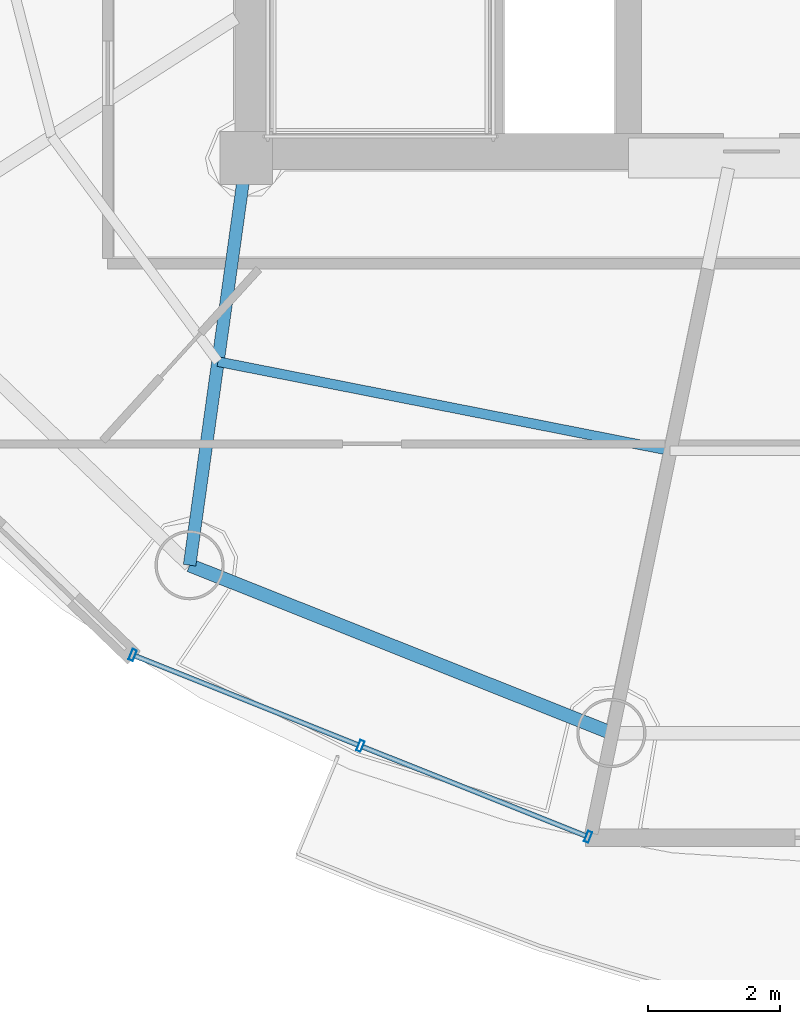
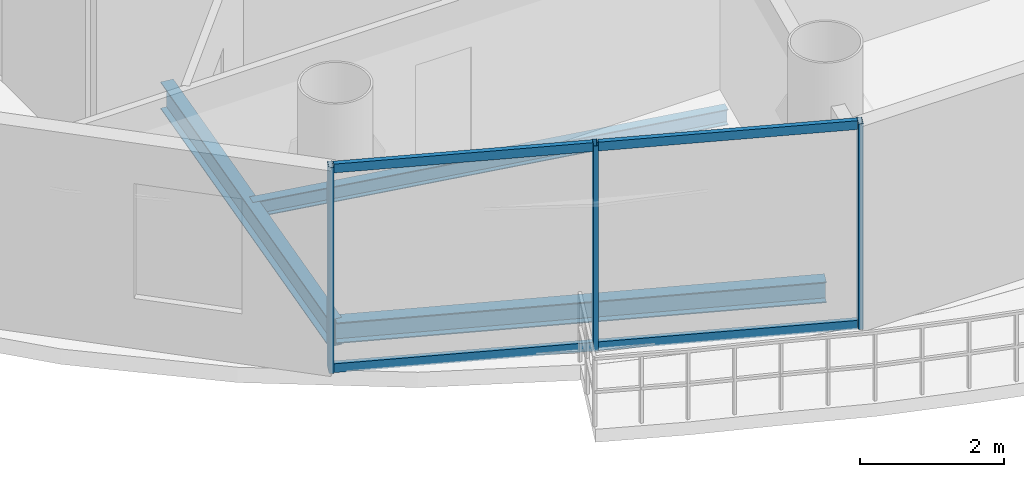
# One storey, part 2 of 21: 7 members, 3 beams, 1 element without a shape of its own.
"""IFC4 building model written with IfcOpenShell, lengths in metres."""

from ifc_helpers import new_model, si_unit, direction, frame, origin, origin_2d, place, context, subcontext, project, spatial, hollow_rectangle, i_section, extrude, source, transform, mapped, material, material_profile, profile_set, type_object, element, aggregate, save


model = new_model("IFC4")

# Units and contexts
model_context = context("Model", 3, precision=1e-05, world=origin(), true_north=direction((-0.2419218956, 0.970295726276)))
body_context = subcontext(model_context, "Body", "Model", "MODEL_VIEW")
ifc_project = project(units=[si_unit("LENGTHUNIT", "METRE"), si_unit("AREAUNIT", "SQUARE_METRE"), si_unit("VOLUMEUNIT", "CUBIC_METRE"), si_unit("PLANEANGLEUNIT", "RADIAN"), si_unit("MASSUNIT", "GRAM", prefix="KILO")], contexts=[model_context])

# Site, building, storey
site_placement = place(None, origin())
site = spatial("IfcSite", under=ifc_project, at=site_placement, CompositionType="ELEMENT")
building_placement = place(site_placement, origin())
building = spatial("IfcBuilding", under=site, at=building_placement, Name="Cobrevalo Terracotta Tower", CompositionType="ELEMENT")
storey_placement = place(building_placement, frame((0.0, 0.0, 281.949951171875)))
storey = spatial("IfcBuildingStorey", under=building, at=storey_placement, Name="L74", CompositionType="ELEMENT", Elevation=281.949951171875)

# Beams
ifc_material_1 = material(Name="Steel S355", Category="steel")
ifc_material_profile_1 = material_profile(ifc_material_1, i_section(OverallWidth=0.19091796875, OverallDepth=0.4599609375, WebThickness=0.010009765625, FlangeThickness=0.01611328125, at=origin_2d()), Name="W 460x82")
ifc_profile_set_1 = profile_set([ifc_material_profile_1], Name="Steel S355")
beam_type_1 = type_object("IfcBeamType", Name="Structural Beam W 460x82 (Steel S355)", PredefinedType="BEAM", material=ifc_profile_set_1)
beam_1_placement = place(storey_placement, frame((28.138671875, 12.62353515625, -0.489990234375), z_axis=(0.138115657759, 0.990416107039, 0.0), x_axis=(-0.990416107039, 0.138115657759, 0.0)))
element("IfcBeam", 1, at=beam_1_placement, inside=storey, type_object=beam_type_1, Name="L74 radial floor girder 11", PredefinedType="BEAM", context=body_context, shape_type="SweptSolid", body=[
    extrude(i_section(OverallWidth=0.19091796875, OverallDepth=0.4599609375, WebThickness=0.010009765625, FlangeThickness=0.01611328125, at=origin_2d()), origin(), (0.0, 0.0, 1.0), 6.236328125),
])
ifc_material_profile_2 = material_profile(ifc_material_1, i_section(OverallWidth=0.14794921875, OverallDepth=0.26611328125, WebThickness=0.007568359375, FlangeThickness=0.012939453125, at=origin_2d()), Name="W 250x44.8")
ifc_profile_set_2 = profile_set([ifc_material_profile_2], Name="Steel S355")
beam_type_2 = type_object("IfcBeamType", Name="Structural Joist W 250x44.8 (Steel S355)", PredefinedType="JOIST", material=ifc_profile_set_2)
beam_2_placement = place(storey_placement, frame((28.5693359375, 15.711669921875, -0.39306640625), z_axis=(0.981145060421, -0.193272787563, 0.0), x_axis=(0.193272787563, 0.981145060421, 0.0)))
element("IfcBeam", 2, at=beam_2_placement, inside=storey, type_object=beam_type_2, Name="L74 circumferential secondary floor joist 11", PredefinedType="JOIST", context=body_context, shape_type="SweptSolid", body=[
    extrude(i_section(OverallWidth=0.14794921875, OverallDepth=0.26611328125, WebThickness=0.007568359375, FlangeThickness=0.012939453125, at=origin_2d()), origin(), (0.0, 0.0, 1.0), 6.98681640625),
])
ifc_material_profile_3 = material_profile(ifc_material_1, i_section(OverallWidth=0.205078125, OverallDepth=0.35400390625, WebThickness=0.009521484375, FlangeThickness=0.016845703125, at=origin_2d()), Name="W 360x79")
ifc_profile_set_3 = profile_set([ifc_material_profile_3], Name="Steel S355")
beam_type_3 = type_object("IfcBeamType", Name="Structural Spandrel W 360x79 (Steel S355)", PredefinedType="SPANDREL", material=ifc_profile_set_3)
beam_3_placement = place(storey_placement, frame((28.138671875, 12.62353515625, -0.43701171875), z_axis=(0.929149986048, -0.369702993533, 0.0), x_axis=(0.369702993533, 0.929149986048, 0.0)))
element("IfcBeam", 3, at=beam_3_placement, inside=storey, type_object=beam_type_3, Name="L74 perimeter ring spandrel 11", PredefinedType="SPANDREL", context=body_context, shape_type="SweptSolid", body=[
    extrude(i_section(OverallWidth=0.205078125, OverallDepth=0.35400390625, WebThickness=0.009521484375, FlangeThickness=0.016845703125, at=origin_2d()), origin(), (0.0, 0.0, 1.0), 6.88623046875),
])

# Curtain wall, members
ifc_material_2 = material(Name="Anodized aluminium", Category="aluminium")
curtain_wall_type = type_object("IfcCurtainWallType", Name="Upper-tower triple-glazed penthouse curtain wall CW-U3", PredefinedType="NOTDEFINED", material=ifc_material_2)
curtain_wall_placement = place(storey_placement, origin())
curtain_wall = element("IfcCurtainWall", 4, at=curtain_wall_placement, inside=storey, type_object=curtain_wall_type, Name="L74 curtain wall CW-L74-S11", PredefinedType="NOTDEFINED")
ifc_material_profile_4 = material_profile(ifc_material_2, hollow_rectangle(XDim=0.070068359375, YDim=0.169921875, WallThickness=0.00439453125, at=origin_2d()), Name="CWM 70x170")
ifc_profile_set_4 = profile_set([ifc_material_profile_4], Name="Anodized aluminium")
member_type_1 = type_object("IfcMemberType", Name="Upper tower unitised mullion 70x170", PredefinedType="MULLION", material=ifc_profile_set_4)
shared_shape_1 = source(origin(), body_context, "Body", "SweptSolid", [
    extrude(hollow_rectangle(XDim=0.070068359375, YDim=0.169921875, WallThickness=0.00439453125, at=origin_2d()), origin(), (0.0, 0.0, 1.0), 3.489990234375),
])
member_1_placement = place(storey_placement, frame((27.275634765625, 11.26171875, 0.0), z_axis=(0.0, 0.0, 1.0), x_axis=(0.928718980883, -0.370784377433, 0.0)))
member_1 = element("IfcMember", 5, at=member_1_placement, type_object=member_type_1, Name="CW-L74-S11 vertical mullion 01", PredefinedType="MULLION", context=body_context, shape_type="MappedRepresentation", body=[
    mapped(shared_shape_1, transform((0.0, 0.0, 0.0), scale=1.0)),
])
member_2_placement = place(storey_placement, frame((30.729736328125, 9.882568359375, 0.0), z_axis=(0.0, 0.0, 1.0), x_axis=(0.928718980883, -0.370784377433, 0.0)))
member_2 = element("IfcMember", 6, at=member_2_placement, type_object=member_type_1, Name="CW-L74-S11 vertical mullion 02", PredefinedType="MULLION", context=body_context, shape_type="MappedRepresentation", body=[
    mapped(shared_shape_1, transform((0.0, 0.0, 0.0), scale=1.0)),
])
member_3_placement = place(storey_placement, frame((34.183837890625, 8.503662109375, 0.0), z_axis=(0.0, 0.0, 1.0), x_axis=(0.928718980883, -0.370784377433, 0.0)))
member_3 = element("IfcMember", 7, at=member_3_placement, type_object=member_type_1, Name="CW-L74-S11 vertical mullion 03", PredefinedType="MULLION", context=body_context, shape_type="MappedRepresentation", body=[
    mapped(shared_shape_1, transform((0.0, 0.0, 0.0), scale=1.0)),
])
ifc_material_profile_5 = material_profile(ifc_material_2, hollow_rectangle(XDim=0.074951171875, YDim=0.14990234375, WallThickness=0.00439453125, at=origin_2d()), Name="CWT 75x150")
ifc_profile_set_5 = profile_set([ifc_material_profile_5], Name="Anodized aluminium")
member_type_2 = type_object("IfcMemberType", Name="Tower unitised aluminium transom 75x150", PredefinedType="USERDEFINED", material=ifc_profile_set_5)
shared_shape_2 = source(origin(), body_context, "Body", "SweptSolid", [
    extrude(hollow_rectangle(XDim=0.074951171875, YDim=0.14990234375, WallThickness=0.00439453125, at=origin_2d()), origin(), (0.0, 0.0, 1.0), 3.63916015625),
])
member_4_placement = place(storey_placement, frame((27.31298828125, 11.246826171875, 0.050048828125), z_axis=(0.928712471544, -0.370800681227, 0.0), x_axis=(0.370800681227, 0.928712471544, 0.0)))
member_4 = element("IfcMember", 8, at=member_4_placement, type_object=member_type_2, Name="CW-L74-S11 transom B01-T1", ObjectType="TRANSOM", PredefinedType="USERDEFINED", context=body_context, shape_type="MappedRepresentation", body=[
    mapped(shared_shape_2, transform((0.0, 0.0, 0.0), scale=1.0)),
])
member_5_placement = place(storey_placement, frame((27.31298828125, 11.246826171875, 3.43994140625), z_axis=(0.928712471544, -0.370800681227, 0.0), x_axis=(0.370800681227, 0.928712471544, 0.0)))
member_5 = element("IfcMember", 9, at=member_5_placement, type_object=member_type_2, Name="CW-L74-S11 transom B01-T2", ObjectType="TRANSOM", PredefinedType="USERDEFINED", context=body_context, shape_type="MappedRepresentation", body=[
    mapped(shared_shape_2, transform((0.0, 0.0, 0.0), scale=1.0)),
])
member_6_placement = place(storey_placement, frame((30.76708984375, 9.86767578125, 0.050048828125), z_axis=(0.928712471544, -0.370800681227, 0.0), x_axis=(0.370800681227, 0.928712471544, 0.0)))
member_6 = element("IfcMember", 10, at=member_6_placement, type_object=member_type_2, Name="CW-L74-S11 transom B02-T1", ObjectType="TRANSOM", PredefinedType="USERDEFINED", context=body_context, shape_type="MappedRepresentation", body=[
    mapped(shared_shape_2, transform((0.0, 0.0, 0.0), scale=1.0)),
])
member_7_placement = place(storey_placement, frame((30.76708984375, 9.86767578125, 3.43994140625), z_axis=(0.928712471544, -0.370800681227, 0.0), x_axis=(0.370800681227, 0.928712471544, 0.0)))
member_7 = element("IfcMember", 11, at=member_7_placement, type_object=member_type_2, Name="CW-L74-S11 transom B02-T2", ObjectType="TRANSOM", PredefinedType="USERDEFINED", context=body_context, shape_type="MappedRepresentation", body=[
    mapped(shared_shape_2, transform((0.0, 0.0, 0.0), scale=1.0)),
])
aggregate(curtain_wall, [member_1, member_2, member_3, member_4, member_5, member_6, member_7])

save(model, "model.ifc")
